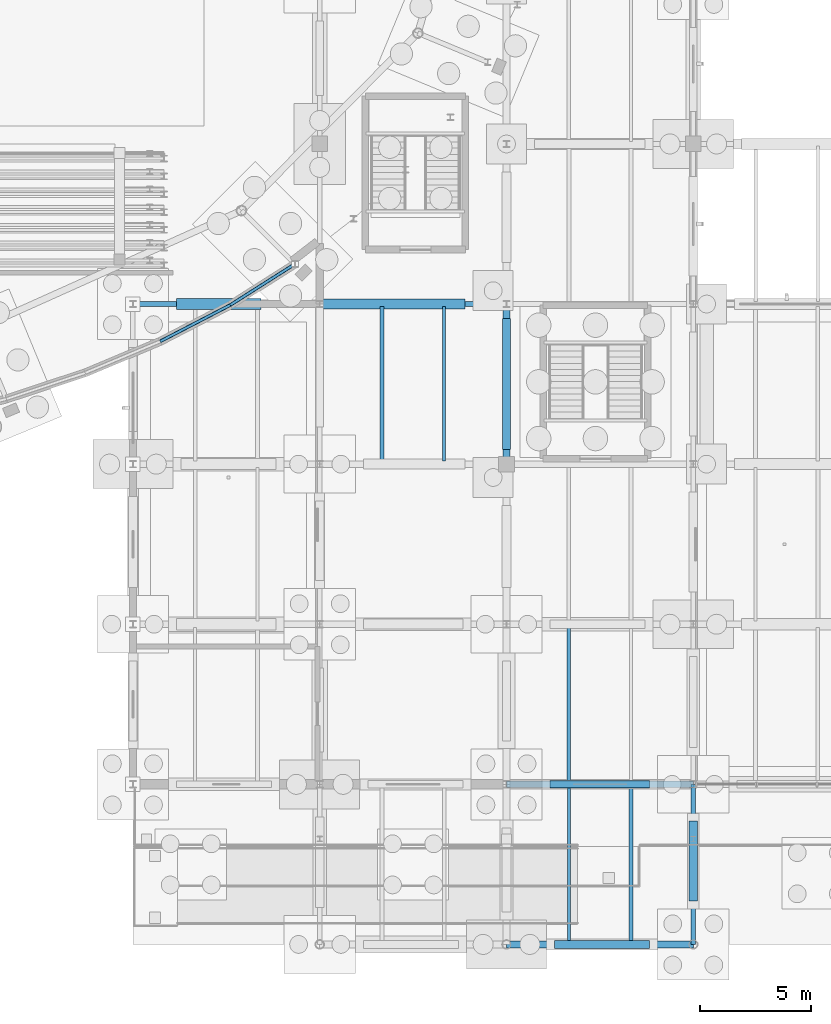
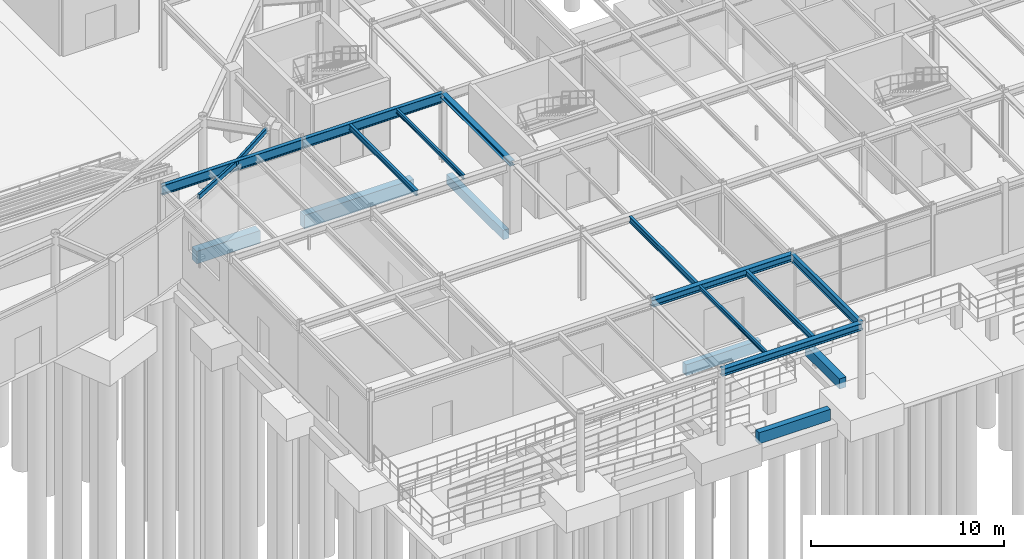
# One storey, part 35 of 93: 19 beams.
"""IFC4 building model written with IfcOpenShell, lengths in metres."""

from ifc_helpers import new_model, si_unit, derived_unit, direction, frame, origin, origin_2d, place, context, subcontext, project, spatial, rectangle, hollow_rectangle, i_section, extrude, material, material_profile, profile_set, type_object, element, save


model = new_model("IFC4")

# Units and contexts
model_context = context("Model", 3, precision=1e-05, world=origin(), true_north=direction((0.0, 1.0)))
body_context = subcontext(model_context, "Body", "Model", "MODEL_VIEW")
ifc_project = project(units=[si_unit("LENGTHUNIT", "METRE"), si_unit("AREAUNIT", "SQUARE_METRE"), si_unit("VOLUMEUNIT", "CUBIC_METRE"), si_unit("PLANEANGLEUNIT", "RADIAN"), si_unit("MASSUNIT", "GRAM", prefix="KILO"), derived_unit("THERMALTRANSMITTANCEUNIT", [(si_unit("MASSUNIT", "GRAM", prefix="KILO"), 1), (si_unit("TIMEUNIT", "SECOND"), -3), (si_unit("THERMODYNAMICTEMPERATUREUNIT", "KELVIN"), -1)])], contexts=[model_context])

# Site, building, storey
site_placement = place(None, origin())
site = spatial("IfcSite", under=ifc_project, at=site_placement, CompositionType="ELEMENT")
building_placement = place(site_placement, origin())
building = spatial("IfcBuilding", under=site, at=building_placement, Name="Kharveza Railside Sports Centre", CompositionType="ELEMENT")
storey_placement = place(building_placement, origin())
storey = spatial("IfcBuildingStorey", under=building, at=storey_placement, Name="L00", CompositionType="ELEMENT", Elevation=0.0)

# Beams
ifc_material_1 = material(Name="Steel S355J2", Category="steel")
ifc_material_profile_1 = material_profile(ifc_material_1, i_section(OverallWidth=0.219970703125, OverallDepth=0.60009765625, WebThickness=0.011962890625, FlangeThickness=0.01904296875, FilletRadius=0.02392578125, at=origin_2d()), Name="IPE 600")
ifc_profile_set_1 = profile_set([ifc_material_profile_1], Name="Steel S355J2")
beam_type_1 = type_object("IfcBeamType", Name="BM-G01", PredefinedType="T_BEAM", material=ifc_profile_set_1)
for number, where, z_axis, x_axis, name in (
    (1, (75.60009765625, 28.800048828125, 4.02001953125), (1.0, 0.0, 0.0), (0.0, 1.0, 0.0), "BM-EW-L00-B01-X756-Y288"),
    (2, (84.0, 28.800048828125, 4.02001953125), (1.0, 0.0, 0.0), (0.0, 1.0, 0.0), "BM-EW-L00-B01-X840-Y288"),
):
    element("IfcBeam", number, at=place(storey_placement, frame(where, z_axis=z_axis, x_axis=x_axis)), inside=storey, type_object=beam_type_1, Name=name, PredefinedType="T_BEAM", context=body_context, shape_type="SweptSolid", body=[
        extrude(i_section(OverallWidth=0.219970703125, OverallDepth=0.60009765625, WebThickness=0.011962890625, FlangeThickness=0.01904296875, FilletRadius=0.02392578125, at=origin_2d()), origin(), (0.0, 0.0, 1.0), 8.39990234375),
    ])
ifc_material_profile_2 = material_profile(ifc_material_1, i_section(OverallWidth=0.199951171875, OverallDepth=0.5, WebThickness=0.01025390625, FlangeThickness=0.01611328125, FilletRadius=0.02099609375, at=origin_2d()), Name="IPE 500")
ifc_profile_set_2 = profile_set([ifc_material_profile_2], Name="Steel S355J2")
beam_type_2 = type_object("IfcBeamType", Name="BM-G03", PredefinedType="T_BEAM", material=ifc_profile_set_2)
beam_1_placement = place(storey_placement, frame((100.800048828125, 0.0, 4.070068359375), z_axis=(0.0, 1.0, 0.0), x_axis=(-1.0, 0.0, 0.0)))
element("IfcBeam", 3, at=beam_1_placement, inside=storey, type_object=beam_type_2, Name="BM-NS-L00-B03-X1008-Y0", PredefinedType="T_BEAM", context=body_context, shape_type="SweptSolid", body=[
    extrude(i_section(OverallWidth=0.199951171875, OverallDepth=0.5, WebThickness=0.01025390625, FlangeThickness=0.01611328125, FilletRadius=0.02099609375, at=origin_2d()), origin(), (0.0, 0.0, 1.0), 7.199951171875),
])
ifc_material_2 = material(Name="Concrete C35/45", Category="concrete")
ifc_material_profile_3 = material_profile(ifc_material_2, rectangle(XDim=0.5, YDim=0.800048828125, at=origin_2d()), Name="RCB 500x800")
ifc_profile_set_3 = profile_set([ifc_material_profile_3], Name="Concrete C35/45")
beam_type_3 = type_object("IfcBeamType", Name="BM-RC01", PredefinedType="T_BEAM", material=ifc_profile_set_3)
beam_2_placement = place(storey_placement, frame((77.56005859375, 28.800048828125, -0.820068359375), z_axis=(1.0, 0.0, 0.0), x_axis=(0.0, 1.0, 0.0)))
element("IfcBeam", 4, at=beam_2_placement, inside=storey, type_object=beam_type_3, Name="BM-PLINTH-EW-B25-X756-Y288-1", PredefinedType="T_BEAM", context=body_context, shape_type="SweptSolid", body=[
    extrude(rectangle(XDim=0.5, YDim=0.800048828125, at=origin_2d()), origin(), (0.0, 0.0, 1.0), 3.787841796875),
])
ifc_material_profile_4 = material_profile(ifc_material_2, rectangle(XDim=0.39990234375, YDim=0.64990234375, at=origin_2d()), Name="RCB 400x650")
ifc_profile_set_4 = profile_set([ifc_material_profile_4], Name="Concrete C35/45")
beam_type_4 = type_object("IfcBeamType", Name="BM-RC02", PredefinedType="BEAM", material=ifc_profile_set_4)
beam_3_placement = place(storey_placement, frame((100.800048828125, 1.9599609375, -0.7451171875), z_axis=(0.0, 1.0, 0.0), x_axis=(-1.0, 0.0, 0.0)))
element("IfcBeam", 5, at=beam_3_placement, inside=storey, type_object=beam_type_4, Name="BM-PLINTH-NS-B26-X1008-Y0-1", PredefinedType="BEAM", context=body_context, shape_type="SweptSolid", body=[
    extrude(rectangle(XDim=0.39990234375, YDim=0.64990234375, at=origin_2d()), origin(), (0.0, 0.0, 1.0), 3.580078125),
])
ifc_material_profile_5 = material_profile(ifc_material_2, rectangle(XDim=0.35009765625, YDim=0.699951171875, at=origin_2d()), Name="RCB 350x700")
ifc_profile_set_5 = profile_set([ifc_material_profile_5], Name="Concrete C35/45")
beam_type_5 = type_object("IfcBeamType", Name="BM-RC03", PredefinedType="SPANDREL", material=ifc_profile_set_5)
beam_4_placement = place(storey_placement, frame((94.56005859375, 0.0, -0.77001953125), z_axis=(1.0, 0.0, 0.0), x_axis=(0.0, 1.0, 0.0)))
element("IfcBeam", 6, at=beam_4_placement, inside=storey, type_object=beam_type_5, Name="BM-PLINTH-EW-B27-X924-Y0-1", PredefinedType="SPANDREL", context=body_context, shape_type="SweptSolid", body=[
    extrude(rectangle(XDim=0.35009765625, YDim=0.699951171875, at=origin_2d()), origin(), (0.0, 0.0, 1.0), 4.280029296875),
])
beam_5_placement = place(storey_placement, frame((94.360107421875, 7.199951171875, -0.77001953125), z_axis=(1.0, 0.0, 0.0), x_axis=(0.0, 1.0, 0.0)))
element("IfcBeam", 7, at=beam_5_placement, inside=storey, type_object=beam_type_5, Name="BM-PLINTH-EW-B27-X924-Y72-1", PredefinedType="SPANDREL", context=body_context, shape_type="SweptSolid", body=[
    extrude(rectangle(XDim=0.35009765625, YDim=0.699951171875, at=origin_2d()), origin(), (0.0, 0.0, 1.0), 4.47998046875),
])
ifc_material_profile_6 = material_profile(ifc_material_2, rectangle(XDim=0.449951171875, YDim=0.85009765625, at=origin_2d()), Name="RCB 450x850")
ifc_profile_set_6 = profile_set([ifc_material_profile_6], Name="Concrete C35/45")
beam_type_6 = type_object("IfcBeamType", Name="BM-RC05", PredefinedType="T_BEAM", material=ifc_profile_set_6)
beam_6_placement = place(storey_placement, frame((84.0, 28.800048828125, -0.844970703125), z_axis=(1.0, 0.0, 0.0), x_axis=(0.0, 1.0, 0.0)))
element("IfcBeam", 8, at=beam_6_placement, inside=storey, type_object=beam_type_6, Name="BM-PLINTH-EW-B29-X840-Y288-1", PredefinedType="T_BEAM", context=body_context, shape_type="SweptSolid", body=[
    extrude(rectangle(XDim=0.449951171875, YDim=0.85009765625, at=origin_2d()), origin(), (0.0, 0.0, 1.0), 6.5400390625),
])
ifc_material_profile_7 = material_profile(ifc_material_2, rectangle(XDim=0.35009765625, YDim=0.60009765625, at=origin_2d()), Name="RCB 350x600")
ifc_profile_set_7 = profile_set([ifc_material_profile_7], Name="Concrete C35/45")
beam_type_7 = type_object("IfcBeamType", Name="BM-RC06", PredefinedType="BEAM", material=ifc_profile_set_7)
beam_7_placement = place(storey_placement, frame((92.39990234375, 22.260009765625, -0.719970703125), z_axis=(0.0, 1.0, 0.0), x_axis=(-1.0, 0.0, 0.0)))
element("IfcBeam", 9, at=beam_7_placement, inside=storey, type_object=beam_type_7, Name="BM-PLINTH-NS-B30-X924-Y216-1", PredefinedType="BEAM", context=body_context, shape_type="SweptSolid", body=[
    extrude(rectangle(XDim=0.35009765625, YDim=0.60009765625, at=origin_2d()), origin(), (0.0, 0.0, 1.0), 5.8798828125),
])
ifc_material_profile_8 = material_profile(ifc_material_1, i_section(OverallWidth=0.169921875, OverallDepth=0.360107421875, WebThickness=0.008056640625, FlangeThickness=0.0126953125, FilletRadius=0.01806640625, at=origin_2d()), Name="IPE 360")
ifc_profile_set_8 = profile_set([ifc_material_profile_8], Name="Steel S355J2")
beam_type_8 = type_object("IfcBeamType", Name="BM-S02", PredefinedType="BEAM", material=ifc_profile_set_8)
for number, where, z_axis, x_axis, name in (
    (10, (98.0, 0.14697265625, 4.139892578125), (0.0, 1.0, 0.0), (-1.0, 0.0, 0.0), "BM-SEC-L00-B10-X980-Y0"),
    (11, (95.199951171875, 7.346923828125, 4.139892578125), (0.0, 1.0, 0.0), (-1.0, 0.0, 0.0), "BM-SEC-L00-B10-X952-Y72"),
):
    element("IfcBeam", number, at=place(storey_placement, frame(where, z_axis=z_axis, x_axis=x_axis)), inside=storey, type_object=beam_type_8, Name=name, PredefinedType="BEAM", context=body_context, shape_type="SweptSolid", body=[
        extrude(i_section(OverallWidth=0.169921875, OverallDepth=0.360107421875, WebThickness=0.008056640625, FlangeThickness=0.0126953125, FilletRadius=0.01806640625, at=origin_2d()), origin(), (0.0, 0.0, 1.0), 6.906005859375),
    ])
ifc_material_profile_9 = material_profile(ifc_material_1, i_section(OverallWidth=0.159912109375, OverallDepth=0.330078125, WebThickness=0.007568359375, FlangeThickness=0.011474609375, FilletRadius=0.01806640625, at=origin_2d()), Name="IPE 330")
ifc_profile_set_9 = profile_set([ifc_material_profile_9], Name="Steel S355J2")
beam_type_9 = type_object("IfcBeamType", Name="BM-S03", PredefinedType="BEAM", material=ifc_profile_set_9)
beam_8_placement = place(storey_placement, frame((86.800048828125, 21.7470703125, 4.155029296875), z_axis=(0.0, 1.0, 0.0), x_axis=(-1.0, 0.0, 0.0)))
element("IfcBeam", 12, at=beam_8_placement, inside=storey, type_object=beam_type_9, Name="BM-SEC-L00-B11-X868-Y216", PredefinedType="BEAM", context=body_context, shape_type="SweptSolid", body=[
    extrude(i_section(OverallWidth=0.159912109375, OverallDepth=0.330078125, WebThickness=0.007568359375, FlangeThickness=0.011474609375, FilletRadius=0.01806640625, at=origin_2d()), origin(), (0.0, 0.0, 1.0), 6.946044921875),
])
ifc_material_profile_10 = material_profile(ifc_material_1, i_section(OverallWidth=0.135009765625, OverallDepth=0.27001953125, WebThickness=0.006591796875, FlangeThickness=0.01025390625, FilletRadius=0.014892578125, at=origin_2d()), Name="IPE 270")
ifc_profile_set_10 = profile_set([ifc_material_profile_10], Name="Steel S355J2")
beam_type_10 = type_object("IfcBeamType", Name="BM-S05", PredefinedType="BEAM", material=ifc_profile_set_10)
beam_9_placement = place(storey_placement, frame((89.60009765625, 21.7470703125, 4.18505859375), z_axis=(0.0, 1.0, 0.0), x_axis=(-1.0, 0.0, 0.0)))
element("IfcBeam", 13, at=beam_9_placement, inside=storey, type_object=beam_type_10, Name="BM-SEC-L00-B13-X896-Y216", PredefinedType="BEAM", context=body_context, shape_type="SweptSolid", body=[
    extrude(i_section(OverallWidth=0.135009765625, OverallDepth=0.27001953125, WebThickness=0.006591796875, FlangeThickness=0.01025390625, FilletRadius=0.014892578125, at=origin_2d()), origin(), (0.0, 0.0, 1.0), 6.946044921875),
])
beam_10_placement = place(storey_placement, frame((95.199951171875, 0.14697265625, 4.18505859375), z_axis=(0.0, 1.0, 0.0), x_axis=(-1.0, 0.0, 0.0)))
element("IfcBeam", 14, at=beam_10_placement, inside=storey, type_object=beam_type_10, Name="BM-SEC-L00-B13-X952-Y0", PredefinedType="BEAM", context=body_context, shape_type="SweptSolid", body=[
    extrude(i_section(OverallWidth=0.135009765625, OverallDepth=0.27001953125, WebThickness=0.006591796875, FlangeThickness=0.01025390625, FilletRadius=0.014892578125, at=origin_2d()), origin(), (0.0, 0.0, 1.0), 6.906005859375),
])
ifc_material_profile_11 = material_profile(ifc_material_1, i_section(OverallWidth=0.300048828125, OverallDepth=0.31005859375, WebThickness=0.009033203125, FlangeThickness=0.015380859375, FilletRadius=0.027099609375, at=origin_2d()), Name="HEA 320")
ifc_profile_set_11 = profile_set([ifc_material_profile_11], Name="Steel S355J2")
beam_type_11 = type_object("IfcBeamType", Name="BM-S06", PredefinedType="BEAM", material=ifc_profile_set_11)
beam_11_placement = place(storey_placement, frame((92.39990234375, 21.60009765625, 4.1650390625), z_axis=(0.0, 1.0, 0.0), x_axis=(-1.0, 0.0, 0.0)))
element("IfcBeam", 15, at=beam_11_placement, inside=storey, type_object=beam_type_11, Name="BM-NS-L00-B14-X924-Y216", PredefinedType="BEAM", context=body_context, shape_type="SweptSolid", body=[
    extrude(i_section(OverallWidth=0.300048828125, OverallDepth=0.31005859375, WebThickness=0.009033203125, FlangeThickness=0.015380859375, FilletRadius=0.027099609375, at=origin_2d()), origin(), (0.0, 0.0, 1.0), 7.199951171875),
])
ifc_material_profile_12 = material_profile(ifc_material_1, i_section(OverallWidth=0.300048828125, OverallDepth=0.43994140625, WebThickness=0.011474609375, FlangeThickness=0.02099609375, FilletRadius=0.027099609375, at=origin_2d()), Name="HEA 450")
ifc_profile_set_12 = profile_set([ifc_material_profile_12], Name="Steel S355J2")
beam_type_12 = type_object("IfcBeamType", Name="BM-SP01", PredefinedType="SPANDREL", material=ifc_profile_set_12)
for number, where, z_axis, x_axis, name in (
    (16, (92.39990234375, 0.0, 4.10009765625), (1.0, 0.0, 0.0), (0.0, 1.0, 0.0), "BM-EW-L00-B15-X924-Y0"),
    (17, (92.39990234375, 7.199951171875, 4.10009765625), (1.0, 0.0, 0.0), (0.0, 1.0, 0.0), "BM-EW-L00-B15-X924-Y72"),
):
    element("IfcBeam", number, at=place(storey_placement, frame(where, z_axis=z_axis, x_axis=x_axis)), inside=storey, type_object=beam_type_12, Name=name, PredefinedType="SPANDREL", context=body_context, shape_type="SweptSolid", body=[
        extrude(i_section(OverallWidth=0.300048828125, OverallDepth=0.43994140625, WebThickness=0.011474609375, FlangeThickness=0.02099609375, FilletRadius=0.027099609375, at=origin_2d()), origin(), (0.0, 0.0, 1.0), 8.400146484375),
    ])
ifc_material_profile_13 = material_profile(ifc_material_1, hollow_rectangle(XDim=0.14990234375, YDim=0.300048828125, WallThickness=0.012451171875, InnerFilletRadius=0.012451171875, OuterFilletRadius=0.02490234375, at=origin_2d()), Name="RHS 150x300x12.5")
ifc_profile_set_13 = profile_set([ifc_material_profile_13], Name="Steel S355J2")
beam_type_13 = type_object("IfcBeamType", Name="BM-SP03", PredefinedType="SPANDREL", material=ifc_profile_set_13)
beam_12_placement = place(storey_placement, frame((76.82275390625, 27.118896484375, 4.159912109375), z_axis=(0.887548498586, 0.46071429613, 0.0), x_axis=(-0.46071429613, 0.887548498586, 0.0)))
element("IfcBeam", 18, at=beam_12_placement, inside=storey, type_object=beam_type_13, Name="BM-DCLER-SILL-55", PredefinedType="SPANDREL", context=body_context, shape_type="SweptSolid", body=[
    extrude(hollow_rectangle(XDim=0.14990234375, YDim=0.300048828125, WallThickness=0.012451171875, InnerFilletRadius=0.012451171875, OuterFilletRadius=0.02490234375, at=origin_2d()), origin(), (0.0, 0.0, 1.0), 3.552490234375),
])
beam_13_placement = place(storey_placement, frame((79.975830078125, 28.755615234375, 4.159912109375), z_axis=(0.844367033968, 0.535765164926, 0.0), x_axis=(-0.535765164926, 0.844367033968, 0.0)))
element("IfcBeam", 19, at=beam_13_placement, inside=storey, type_object=beam_type_13, Name="BM-DCLER-SILL-56", PredefinedType="SPANDREL", context=body_context, shape_type="SweptSolid", body=[
    extrude(hollow_rectangle(XDim=0.14990234375, YDim=0.300048828125, WallThickness=0.012451171875, InnerFilletRadius=0.012451171875, OuterFilletRadius=0.02490234375, at=origin_2d()), origin(), (0.0, 0.0, 1.0), 3.444580078125),
])

save(model, "model.ifc")
